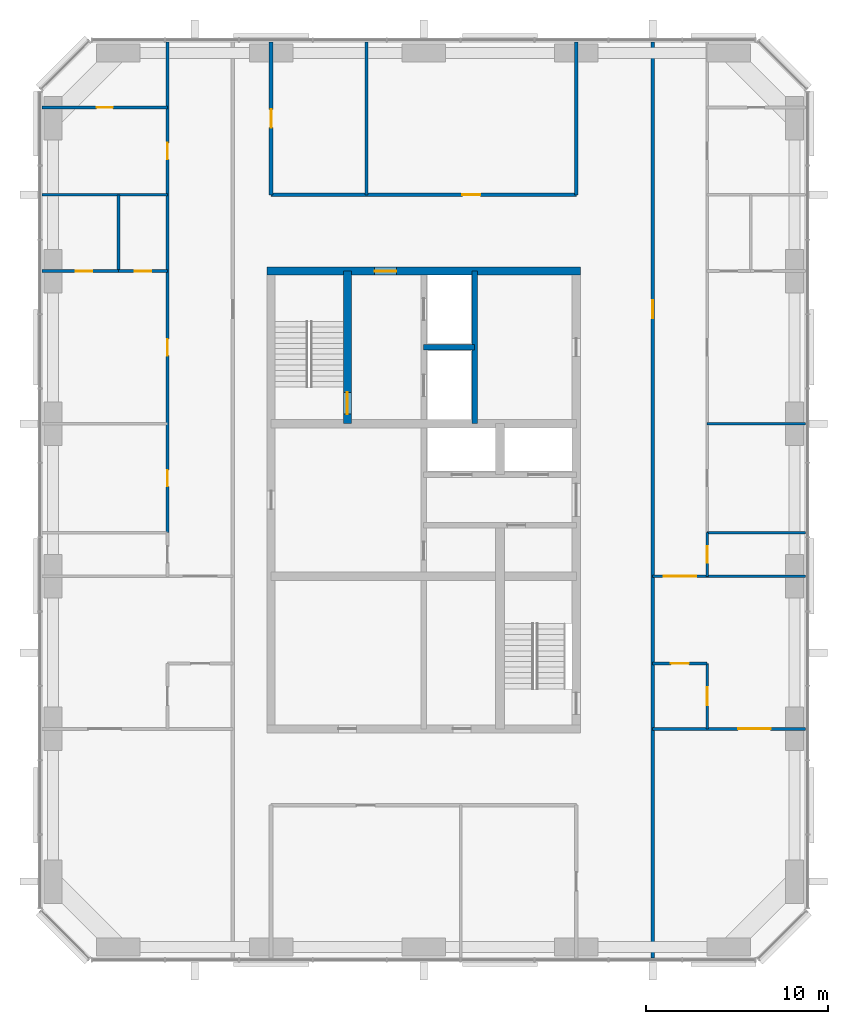
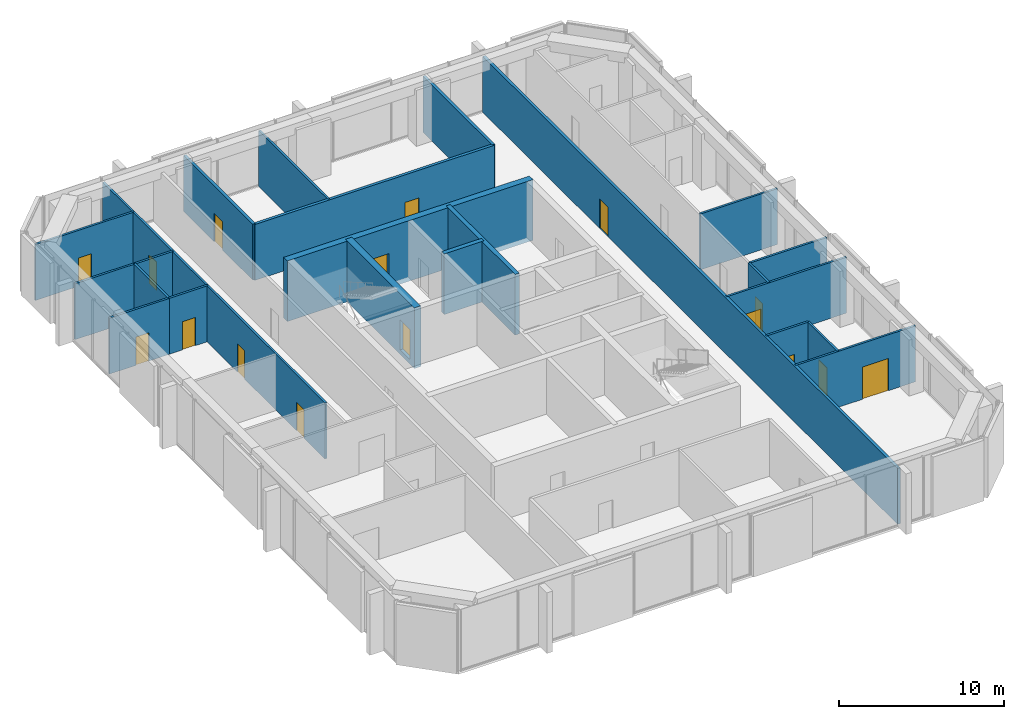
# One storey, part 8 of 10: 22 walls, 16 doors, 16 openings.
"""IFC4 building model written with IfcOpenShell, lengths in metres."""

import ifcopenshell
import ifcopenshell.guid

model = None  # the IFC model being written
_history = None  # IfcOwnerHistory: only IFC2X3 demands one
_inside = {}  # id of a spatial element -> (the spatial element, [elements in it])
_under = {}  # id of a project, library or spatial element -> (it, [spatial elements below it])
_declared = {}  # id of a project -> (the project, [libraries it declares])
_typed = {}  # id of a type object -> (the type object, [elements of that type])
_made_of = {}  # id of a material, layer set ... -> (it, [elements and type objects made of it])


def new_model(schema):
    """Start an empty IFC model of exactly this schema.

    Asked for "IFC4X3", IfcOpenShell would pick the latest addendum, in which some entities
    have other attributes; the version numbers below select the first issue.
    IFC2X3 requires an IfcOwnerHistory on every rooted entity: one is made here for all.
    """
    global model, _history
    if schema == "IFC4X3":
        model = ifcopenshell.file(schema_version=(4, 3, 0, 0))
    else:
        model = ifcopenshell.file(schema=schema)
    _inside.clear()
    _under.clear()
    _declared.clear()
    _typed.clear()
    _made_of.clear()
    _history = None
    if model.schema == "IFC2X3":
        org = make("IfcOrganization", Name="unknown")
        user = make(
            "IfcPersonAndOrganization",
            ThePerson=make("IfcPerson", FamilyName="unknown"),
            TheOrganization=org,
        )
        app = make(
            "IfcApplication",
            ApplicationDeveloper=org,
            Version="unknown",
            ApplicationFullName="unknown",
            ApplicationIdentifier="unknown",
        )
        _history = make(
            "IfcOwnerHistory",
            OwningUser=user,
            OwningApplication=app,
            ChangeAction="ADDED",
            CreationDate=0,
        )
    return model


def make(cls, **values):
    """One entity of the class cls with the attributes given. An attribute that is None is left unset."""
    return model.create_entity(
        cls, **{name: value for name, value in values.items() if value is not None}
    )


def rooted(cls, **values):
    """An entity with a GlobalId (a new one), such as an element, a storey or a relation."""
    return make(cls, GlobalId=ifcopenshell.guid.new(), OwnerHistory=_history, **values)


def si_unit(unit_type, name, prefix=None):
    """IfcSIUnit, for example si_unit("LENGTHUNIT", "METRE", prefix="MILLI")."""
    return make("IfcSIUnit", UnitType=unit_type, Prefix=prefix, Name=name)


def assignment(units):
    """IfcUnitAssignment: the units of a project."""
    return None if units is None else make("IfcUnitAssignment", Units=units)


def point(xyz):
    """IfcCartesianPoint."""
    return None if xyz is None else make("IfcCartesianPoint", Coordinates=xyz)


def direction(xyz):
    """IfcDirection."""
    return None if xyz is None else make("IfcDirection", DirectionRatios=xyz)


def frame(location, z_axis=None, x_axis=None):
    """IfcAxis2Placement3D, a coordinate frame: its origin and axes. An axis left out is left unset."""
    return make(
        "IfcAxis2Placement3D",
        Location=point(location),
        Axis=direction(z_axis),
        RefDirection=direction(x_axis),
    )


def frame_2d(location, x_axis=None):
    """IfcAxis2Placement2D, a coordinate frame in the plane: its origin and x axis."""
    return make(
        "IfcAxis2Placement2D", Location=point(location), RefDirection=direction(x_axis)
    )


def origin():
    """The frame at (0, 0, 0) with its axes left unset."""
    return frame((0.0, 0.0, 0.0))


def place(relative_to, where):
    """IfcLocalPlacement: puts the frame where relative to a parent placement (None: the world)."""
    return make(
        "IfcLocalPlacement", PlacementRelTo=relative_to, RelativePlacement=where
    )


def context(
    kind, dimensions, precision=None, world=None, true_north=None, identifier=None
):
    """IfcGeometricRepresentationContext, for example the 3D "Model" context."""
    return make(
        "IfcGeometricRepresentationContext",
        ContextIdentifier=identifier,
        ContextType=kind,
        CoordinateSpaceDimension=dimensions,
        Precision=precision,
        WorldCoordinateSystem=world,
        TrueNorth=true_north,
    )


def subcontext(parent, identifier, kind, view, scale=None):
    """IfcGeometricRepresentationSubContext, for example "Body" below "Model"."""
    return make(
        "IfcGeometricRepresentationSubContext",
        ContextIdentifier=identifier,
        ContextType=kind,
        ParentContext=parent,
        TargetScale=scale,
        TargetView=view,
    )


def project(units=None, contexts=None):
    """IfcProject with its units and contexts."""
    return rooted(
        "IfcProject",
        Name="project",
        RepresentationContexts=contexts,
        UnitsInContext=assignment(units),
    )


def spatial(cls, under=None, at=None, **own):
    """A site, building, storey or space (cls), placed at a placement, below another one or the project."""
    s = rooted(cls, ObjectPlacement=at, **own)
    if under is not None:
        _under.setdefault(under.id(), (under, []))[1].append(s)
    return s


def profile(cls, at=None, kind="AREA", **sizes):
    """A parametric profile (cls). Its sizes go by their IFC names, for example OverallWidth=200.0."""
    return make(cls, ProfileType=kind, Position=at, **sizes)


def rectangle(**sizes):
    """IfcRectangleProfileDef."""
    return profile("IfcRectangleProfileDef", **sizes)


def extrude(swept, where, along, depth):
    """IfcExtrudedAreaSolid: the profile swept, set in the frame where, extruded along a direction by depth."""
    return make(
        "IfcExtrudedAreaSolid",
        SweptArea=swept,
        Position=where,
        ExtrudedDirection=direction(along),
        Depth=depth,
    )


def shape(context_of_items, identifier, shape_type, items):
    """IfcShapeRepresentation: the items that make up one representation, for example the "Body"."""
    return make(
        "IfcShapeRepresentation",
        ContextOfItems=context_of_items,
        RepresentationIdentifier=identifier,
        RepresentationType=shape_type,
        Items=items,
    )


def material(Name=None, Category=None):
    """IfcMaterial."""
    return make("IfcMaterial", Name=Name, Category=Category)


def layer(
    of_material, thickness, ventilated=None, Name=None, Category=None, Priority=None
):
    """IfcMaterialLayer: one layer of a wall or slab, of a material (None: an air gap)."""
    return make(
        "IfcMaterialLayer",
        Material=of_material,
        LayerThickness=thickness,
        IsVentilated=ventilated,
        Name=Name,
        Category=Category,
        Priority=Priority,
    )


def layer_set(layers, Name=None):
    """IfcMaterialLayerSet."""
    return make("IfcMaterialLayerSet", MaterialLayers=layers, LayerSetName=Name)


def made_of(thing, what):
    """Note that an element or type object is made of a material, layer set ...; save() writes the relation."""
    if what is not None:
        _made_of.setdefault(what.id(), (what, []))[1].append(thing)
    return thing


def type_object(cls, material=None, **own):
    """A type object (cls), such as IfcWallType, which elements share."""
    return made_of(rooted(cls, **own), material)


def element(
    cls,
    number,
    at=None,
    inside=None,
    cuts=None,
    type_object=None,
    material=None,
    context=None,
    identifier="Body",
    shape_type=None,
    held_by="IfcProductDefinitionShape",
    body=None,
    shapes=None,
    **own,
):
    """One element of the class cls, such as IfcWall. Its Tag is "e" and its number.

    at: its placement. inside: the storey or other place that contains it. cuts: it is an
    opening in that element (IfcRelVoidsElement). A single representation is given by context,
    identifier, shape_type and body (its items); several are given by shapes. held_by: the class
    of the entity that holds the representations. save() writes the other relations.
    """
    e = rooted(cls, Tag="e%d" % number, ObjectPlacement=at, **own)
    if body is not None:
        shapes = [shape(context, identifier, shape_type, body)]
    if shapes is not None:
        e.Representation = make(held_by, Representations=shapes)
    if inside is not None:
        _inside.setdefault(inside.id(), (inside, []))[1].append(e)
    if cuts is not None:
        rooted(
            "IfcRelVoidsElement", RelatingBuildingElement=cuts, RelatedOpeningElement=e
        )
    if type_object is not None:
        _typed.setdefault(type_object.id(), (type_object, []))[1].append(e)
    return made_of(e, material)


def fill(opening, filler):
    """IfcRelFillsElement: the door or window that sits in an opening."""
    return rooted(
        "IfcRelFillsElement",
        RelatingOpeningElement=opening,
        RelatedBuildingElement=filler,
    )


def aggregate(whole, parts):
    """IfcRelAggregates: a whole, such as a stair, and the parts it consists of."""
    return rooted("IfcRelAggregates", RelatingObject=whole, RelatedObjects=parts)


def save(model, path):
    """Write the relations noted so far, then the file.

    IfcRelAggregates (storeys below a building ...), IfcRelContainedInSpatialStructure (elements
    in a storey), IfcRelDefinesByType, IfcRelAssociatesMaterial and IfcRelDeclares: one each for
    every whole, place, type object, material and project.
    """
    for whole, parts in _under.values():
        aggregate(whole, parts)
    for where, things in _inside.values():
        rooted(
            "IfcRelContainedInSpatialStructure",
            RelatedElements=things,
            RelatingStructure=where,
        )
    for kind, things in _typed.values():
        rooted("IfcRelDefinesByType", RelatedObjects=things, RelatingType=kind)
    for what, things in _made_of.values():
        rooted("IfcRelAssociatesMaterial", RelatedObjects=things, RelatingMaterial=what)
    for by, libraries in _declared.values():
        rooted("IfcRelDeclares", RelatingContext=by, RelatedDefinitions=libraries)
    model.write(path)


model = new_model("IFC4")

# Units and contexts
model_context = context("Model", 3, precision=1e-05, world=origin(), true_north=direction((0.0, 1.0)))
body_context = subcontext(model_context, "Body", "Model", "MODEL_VIEW")
ifc_project = project(units=[si_unit("LENGTHUNIT", "METRE"), si_unit("AREAUNIT", "SQUARE_METRE"), si_unit("VOLUMEUNIT", "CUBIC_METRE"), si_unit("PLANEANGLEUNIT", "RADIAN"), si_unit("MASSUNIT", "GRAM", prefix="KILO")], contexts=[model_context])

# Site, building, storey
site_placement = place(None, origin())
site = spatial("IfcSite", under=ifc_project, at=site_placement, CompositionType="ELEMENT")
building_placement = place(site_placement, origin())
building = spatial("IfcBuilding", under=site, at=building_placement, Name="Dunama Terrace Hotel", CompositionType="ELEMENT")
storey_placement = place(building_placement, frame((0.0, 0.0, 289.10009765625)))
storey = spatial("IfcBuildingStorey", under=building, at=storey_placement, Name="L74", CompositionType="ELEMENT", Elevation=289.10009765625)

# Wall, opening, door
ifc_material_1 = material(Name="Gypsum board partition", Category="masonry")
ifc_layer_1 = layer(ifc_material_1, 0.14990234375)
ifc_layer_set_1 = layer_set([ifc_layer_1], Name="Bathroom partition 150")
wall_type_1 = type_object("IfcWallType", Name="Bathroom partition 150", PredefinedType="PARTITIONING", material=ifc_layer_set_1)
wall_1_placement = place(storey_placement, frame((49.199951171875, 25.199951171875, 0.0), z_axis=(0.0, 0.0, 1.0), x_axis=(0.0, 1.0, 0.0)))
wall_1 = element("IfcWall", 1, at=wall_1_placement, inside=storey, type_object=wall_type_1, Name="Bathroom partition 150 L74", PredefinedType="PARTITIONING", context=body_context, shape_type="SweptSolid", body=[
    extrude(rectangle(XDim=2.400146484375, YDim=0.14990234375, at=frame_2d((1.2001953125, 0.0))), origin(), (0.0, 0.0, 1.0), 4.14990234375),
])
opening_1_placement = place(wall_1_placement, frame((0.75, 0.0, 0.0)))
opening_1 = element("IfcOpeningElement", 2, at=opening_1_placement, cuts=wall_1, Name="Opening L74-032", PredefinedType="OPENING", context=body_context, shape_type="SweptSolid", body=[
    extrude(rectangle(XDim=0.89990234375, YDim=2.10009765625, at=frame_2d((0.449951171875, 1.050048828125))), frame((0.0, 0.0849609375, 0.0), z_axis=(0.0, -1.0, 0.0), x_axis=(1.0, 0.0, 0.0)), (0.0, 0.0, 1.0), 0.169921875),
])
ifc_material_2 = material(Name="Timber door with steel frame", Category="steel")
door_type_1 = type_object("IfcDoorType", Name="WC door 900", OperationType="SINGLE_SWING_LEFT", PredefinedType="DOOR", material=ifc_material_2)
door_1_placement = place(opening_1_placement, frame((0.89990234375, 0.0, 0.0), z_axis=(0.0, 0.0, 1.0), x_axis=(-1.0, 0.0, 0.0)))
door_1 = element("IfcDoor", 3, at=door_1_placement, inside=storey, type_object=door_type_1, Name="Door to royal suite powder room L74-032, type D6", OperationType="SINGLE_SWING_RIGHT", OverallHeight=2.10009765625, OverallWidth=0.89990234375, PredefinedType="DOOR", context=body_context, shape_type="SweptSolid", body=[
    extrude(rectangle(XDim=0.89990234375, YDim=2.10009765625, at=frame_2d((0.449951171875, 1.050048828125))), frame((0.0, 0.025146484375, 0.0), z_axis=(0.0, -1.0, 0.0), x_axis=(1.0, 0.0, 0.0)), (0.0, 0.0, 1.0), 0.050048828125),
])
fill(opening_1, door_1)

wall_2_placement = place(storey_placement, frame((12.58203125, 42.0, 0.0), z_axis=(0.0, 0.0, 1.0), x_axis=(1.0, 0.0, 0.0)))
wall_2 = element("IfcWall", 4, at=wall_2_placement, inside=storey, type_object=wall_type_1, Name="Bathroom partition 150 L74", PredefinedType="PARTITIONING", context=body_context, shape_type="SweptSolid", body=[
    extrude(rectangle(XDim=4.218017578125, YDim=0.14990234375, at=frame_2d((2.10888671875, 0.0))), origin(), (0.0, 0.0, 1.0), 4.14990234375),
])
opening_2_placement = place(wall_2_placement, frame((1.867919921875, 0.0, 0.0)))
opening_2 = element("IfcOpeningElement", 5, at=opening_2_placement, cuts=wall_2, Name="Opening L74-023", PredefinedType="OPENING", context=body_context, shape_type="SweptSolid", body=[
    extrude(rectangle(XDim=0.89990234375, YDim=2.10009765625, at=frame_2d((0.449951171875, 1.050048828125))), frame((0.0, 0.0849609375, 0.0), z_axis=(0.0, -1.0, 0.0), x_axis=(1.0, 0.0, 0.0)), (0.0, 0.0, 1.0), 0.169921875),
])
door_2_placement = place(opening_2_placement, origin())
door_2 = element("IfcDoor", 6, at=door_2_placement, inside=storey, type_object=door_type_1, Name="Door to royal suite bathroom L74-023, type D6", OperationType="SINGLE_SWING_LEFT", OverallHeight=2.10009765625, OverallWidth=0.89990234375, PredefinedType="DOOR", context=body_context, shape_type="SweptSolid", body=[
    extrude(rectangle(XDim=0.89990234375, YDim=2.10009765625, at=frame_2d((0.449951171875, 1.050048828125))), frame((0.0, 0.02490234375, 0.0), z_axis=(0.0, -1.0, 0.0), x_axis=(1.0, 0.0, 0.0)), (0.0, 0.0, 1.0), 0.050048828125),
])
fill(opening_2, door_2)

wall_3_placement = place(storey_placement, frame((12.58203125, 51.0, 0.0), z_axis=(0.0, 0.0, 1.0), x_axis=(1.0, 0.0, 0.0)))
wall_3 = element("IfcWall", 7, at=wall_3_placement, inside=storey, type_object=wall_type_1, Name="Bathroom partition 150 L74", PredefinedType="PARTITIONING", context=body_context, shape_type="SweptSolid", body=[
    extrude(rectangle(XDim=6.91796875, YDim=0.14990234375, at=frame_2d((3.458984375, 0.0))), origin(), (0.0, 0.0, 1.0), 4.14990234375),
])
opening_3_placement = place(wall_3_placement, frame((3.01806640625, 0.0, 0.0)))
opening_3 = element("IfcOpeningElement", 8, at=opening_3_placement, cuts=wall_3, Name="Opening L74-026", PredefinedType="OPENING", context=body_context, shape_type="SweptSolid", body=[
    extrude(rectangle(XDim=0.89990234375, YDim=2.10009765625, at=frame_2d((0.449951171875, 1.050048828125))), frame((0.0, 0.0849609375, 0.0), z_axis=(0.0, -1.0, 0.0), x_axis=(1.0, 0.0, 0.0)), (0.0, 0.0, 1.0), 0.169921875),
])
door_3_placement = place(opening_3_placement, origin())
door_3 = element("IfcDoor", 9, at=door_3_placement, inside=storey, type_object=door_type_1, Name="Door to royal suite second bathroom L74-026, type D6", OperationType="SINGLE_SWING_LEFT", OverallHeight=2.10009765625, OverallWidth=0.89990234375, PredefinedType="DOOR", context=body_context, shape_type="SweptSolid", body=[
    extrude(rectangle(XDim=0.89990234375, YDim=2.10009765625, at=frame_2d((0.449951171875, 1.050048828125))), frame((0.0, 0.02490234375, 0.0), z_axis=(0.0, -1.0, 0.0), x_axis=(1.0, 0.0, 0.0)), (0.0, 0.0, 1.0), 0.050048828125),
])
fill(opening_3, door_3)

# Walls
ifc_material_3 = material(Name="Concrete C50/60", Category="concrete")
ifc_layer_2 = layer(ifc_material_3, 0.300048828125)
ifc_layer_set_2 = layer_set([ifc_layer_2], Name="Core inner wall 300")
wall_type_2 = type_object("IfcWallType", Name="Core inner wall 300", PredefinedType="SHEAR", material=ifc_layer_set_2)
wall_4_placement = place(storey_placement, frame((36.39990234375, 33.60009765625, -0.35009765625), z_axis=(0.0, 0.0, 1.0), x_axis=(0.0, 1.0, 0.0)))
element("IfcWall", 10, at=wall_4_placement, inside=storey, type_object=wall_type_2, Name="Core inner wall 300 L74", PredefinedType="SHEAR", context=body_context, shape_type="SweptSolid", body=[
    extrude(rectangle(XDim=8.39990234375, YDim=0.300048828125, at=frame_2d((4.199951171875, 0.0))), origin(), (0.0, 0.0, 1.0), 4.5),
])
wall_5_placement = place(storey_placement, frame((33.60009765625, 37.800048828125, -0.35009765625), z_axis=(0.0, 0.0, 1.0), x_axis=(1.0, 0.0, 0.0)))
element("IfcWall", 11, at=wall_5_placement, inside=storey, type_object=wall_type_2, Name="Core inner wall 300 L74", PredefinedType="SHEAR", context=body_context, shape_type="SweptSolid", body=[
    extrude(rectangle(XDim=2.7998046875, YDim=0.300048828125, at=frame_2d((1.39990234375, 0.0))), origin(), (0.0, 0.0, 1.0), 4.5),
])

# Wall, opening, door
ifc_material_4 = material(Name="Concrete C50/60", Category="concrete")
ifc_layer_3 = layer(ifc_material_4, 0.449951171875)
ifc_layer_set_3 = layer_set([ifc_layer_3], Name="Core inner wall 450")
wall_type_3 = type_object("IfcWallType", Name="Core inner wall 450", PredefinedType="SHEAR", material=ifc_layer_set_3)
wall_6_placement = place(storey_placement, frame((29.39990234375, 33.60009765625, -0.35009765625), z_axis=(0.0, 0.0, 1.0), x_axis=(0.0, 1.0, 0.0)))
wall_6 = element("IfcWall", 12, at=wall_6_placement, inside=storey, type_object=wall_type_3, Name="Core inner wall 450 L74", PredefinedType="SHEAR", context=body_context, shape_type="SweptSolid", body=[
    extrude(rectangle(XDim=8.39990234375, YDim=0.449951171875, at=frame_2d((4.199951171875, 0.0))), origin(), (0.0, 0.0, 1.0), 4.5),
])
opening_4_placement = place(wall_6_placement, frame((0.52490234375, 0.0, 0.35009765625)))
opening_4 = element("IfcOpeningElement", 13, at=opening_4_placement, cuts=wall_6, Name="Opening L74-001", PredefinedType="OPENING", context=body_context, shape_type="SweptSolid", body=[
    extrude(rectangle(XDim=1.199951171875, YDim=2.199951171875, at=frame_2d((0.60009765625, 1.10009765625))), frame((0.0, 0.23486328125, 0.0), z_axis=(0.0, -1.0, 0.0), x_axis=(1.0, 0.0, 0.0)), (0.0, 0.0, 1.0), 0.469970703125),
])
ifc_material_5 = material(Name="Timber door with steel frame", Category="steel")
door_type_2 = type_object("IfcDoorType", Name="Stair door 1200", OperationType="SINGLE_SWING_LEFT", PredefinedType="DOOR", material=ifc_material_5)
door_4_placement = place(opening_4_placement, origin())
door_4 = element("IfcDoor", 14, at=door_4_placement, inside=storey, type_object=door_type_2, Name="Stair door ST1 L74-001, type D5", OperationType="SINGLE_SWING_LEFT", OverallHeight=2.199951171875, OverallWidth=1.199951171875, PredefinedType="DOOR", context=body_context, shape_type="SweptSolid", body=[
    extrude(rectangle(XDim=1.199951171875, YDim=2.199951171875, at=frame_2d((0.60009765625, 1.10009765625))), frame((0.0, 0.02490234375, 0.0), z_axis=(0.0, -1.0, 0.0), x_axis=(1.0, 0.0, 0.0)), (0.0, 0.0, 1.0), 0.050048828125),
])
fill(opening_4, door_4)

ifc_material_6 = material(Name="Concrete C50/60", Category="concrete")
ifc_layer_4 = layer(ifc_material_6, 0.449951171875)
ifc_layer_set_4 = layer_set([ifc_layer_4], Name="Core wall 450")
wall_type_4 = type_object("IfcWallType", Name="Core wall 450", PredefinedType="SHEAR", material=ifc_layer_set_4)
wall_7_placement = place(storey_placement, frame((42.22509765625, 42.0, -0.35009765625), z_axis=(0.0, 0.0, 1.0), x_axis=(-1.0, 0.0, 0.0)))
wall_7 = element("IfcWall", 15, at=wall_7_placement, inside=storey, type_object=wall_type_4, Name="Core wall north L74", PredefinedType="SHEAR", context=body_context, shape_type="SweptSolid", body=[
    extrude(rectangle(XDim=17.25, YDim=0.449951171875, at=frame_2d((8.625, 0.0))), origin(), (0.0, 0.0, 1.0), 4.5),
])
opening_5_placement = place(wall_7_placement, frame((10.125, 0.0, 0.35009765625)))
opening_5 = element("IfcOpeningElement", 16, at=opening_5_placement, cuts=wall_7, Name="Opening L74-011", PredefinedType="OPENING", context=body_context, shape_type="SweptSolid", body=[
    extrude(rectangle(XDim=1.199951171875, YDim=2.199951171875, at=frame_2d((0.60009765625, 1.10009765625))), frame((0.0, 0.23486328125, 0.0), z_axis=(0.0, -1.0, 0.0), x_axis=(1.0, 0.0, 0.0)), (0.0, 0.0, 1.0), 0.469970703125),
])
ifc_material_7 = material(Name="Timber door with steel frame", Category="steel")
door_type_3 = type_object("IfcDoorType", Name="Firefighting lobby door 1200", OperationType="SINGLE_SWING_LEFT", PredefinedType="DOOR", material=ifc_material_7)
door_5_placement = place(opening_5_placement, origin())
door_5 = element("IfcDoor", 17, at=door_5_placement, inside=storey, type_object=door_type_3, Name="Door to firefighting lobby L74-011, type D4", OperationType="SINGLE_SWING_RIGHT", OverallHeight=2.199951171875, OverallWidth=1.199951171875, PredefinedType="DOOR", context=body_context, shape_type="SweptSolid", body=[
    extrude(rectangle(XDim=1.199951171875, YDim=2.199951171875, at=frame_2d((0.60009765625, 1.10009765625))), frame((0.0, 0.02490234375, 0.0), z_axis=(0.0, -1.0, 0.0), x_axis=(1.0, 0.0, 0.0)), (0.0, 0.0, 1.0), 0.050048828125),
])
fill(opening_5, door_5)

ifc_material_8 = material(Name="Concrete blockwork", Category="masonry")
ifc_layer_5 = layer(ifc_material_8, 0.199951171875)
ifc_layer_set_5 = layer_set([ifc_layer_5], Name="Corridor partition 200")
wall_type_5 = type_object("IfcWallType", Name="Corridor partition 200", PredefinedType="PARTITIONING", material=ifc_layer_set_5)
wall_8_placement = place(storey_placement, frame((25.199951171875, 46.199951171875, 0.0), z_axis=(0.0, 0.0, 1.0), x_axis=(0.0, 1.0, 0.0)))
wall_8 = element("IfcWall", 18, at=wall_8_placement, inside=storey, type_object=wall_type_5, Name="Corridor partition 200 L74", PredefinedType="PARTITIONING", context=body_context, shape_type="SweptSolid", body=[
    extrude(rectangle(XDim=8.41796875, YDim=0.199951171875, at=frame_2d((4.208984375, 0.0))), origin(), (0.0, 0.0, 1.0), 4.14990234375),
])
opening_6_placement = place(wall_8_placement, frame((3.699951171875, 0.0, 0.0)))
opening_6 = element("IfcOpeningElement", 19, at=opening_6_placement, cuts=wall_8, Name="Opening L74-041", PredefinedType="OPENING", context=body_context, shape_type="SweptSolid", body=[
    extrude(rectangle(XDim=1.0, YDim=2.10009765625, at=frame_2d((0.5, 1.050048828125))), frame((0.0, 0.10986328125, 0.0), z_axis=(0.0, -1.0, 0.0), x_axis=(1.0, 0.0, 0.0)), (0.0, 0.0, 1.0), 0.219970703125),
])
ifc_material_9 = material(Name="Timber door with steel frame", Category="steel")
door_type_4 = type_object("IfcDoorType", Name="Service door 1000", OperationType="SINGLE_SWING_LEFT", PredefinedType="DOOR", material=ifc_material_9)
door_6_placement = place(opening_6_placement, frame((1.0, 0.0, 0.0), z_axis=(0.0, 0.0, 1.0), x_axis=(-1.0, 0.0, 0.0)))
door_6 = element("IfcDoor", 20, at=door_6_placement, inside=storey, type_object=door_type_4, Name="Door to royal floor security office L74-041, type D7", OperationType="SINGLE_SWING_LEFT", OverallHeight=2.10009765625, OverallWidth=1.0, PredefinedType="DOOR", context=body_context, shape_type="SweptSolid", body=[
    extrude(rectangle(XDim=1.0, YDim=2.10009765625, at=frame_2d((0.5, 1.050048828125))), frame((0.0, 0.025146484375, 0.0), z_axis=(0.0, -1.0, 0.0), x_axis=(1.0, 0.0, 0.0)), (0.0, 0.0, 1.0), 0.050048828125),
])
fill(opening_6, door_6)

# Wall
wall_9_placement = place(storey_placement, frame((42.0, 46.199951171875, 0.0), z_axis=(0.0, 0.0, 1.0), x_axis=(0.0, 1.0, 0.0)))
element("IfcWall", 21, at=wall_9_placement, inside=storey, type_object=wall_type_5, Name="Corridor partition 200 L74", PredefinedType="PARTITIONING", context=body_context, shape_type="SweptSolid", body=[
    extrude(rectangle(XDim=8.41796875, YDim=0.199951171875, at=frame_2d((4.208984375, 0.0))), origin(), (0.0, 0.0, 1.0), 4.14990234375),
])

# Wall, opening, door
wall_10_placement = place(storey_placement, frame((25.199951171875, 46.199951171875, 0.0), z_axis=(0.0, 0.0, 1.0), x_axis=(1.0, 0.0, 0.0)))
wall_10 = element("IfcWall", 22, at=wall_10_placement, inside=storey, type_object=wall_type_5, Name="Corridor partition 200 L74", PredefinedType="PARTITIONING", context=body_context, shape_type="SweptSolid", body=[
    extrude(rectangle(XDim=16.800048828125, YDim=0.199951171875, at=frame_2d((8.39990234375, 0.0))), origin(), (0.0, 0.0, 1.0), 4.14990234375),
])
opening_7_placement = place(wall_10_placement, frame((10.52490234375, 0.0, 0.0)))
opening_7 = element("IfcOpeningElement", 23, at=opening_7_placement, cuts=wall_10, Name="Opening L74-042", PredefinedType="OPENING", context=body_context, shape_type="SweptSolid", body=[
    extrude(rectangle(XDim=1.0, YDim=2.10009765625, at=frame_2d((0.5, 1.050048828125))), frame((0.0, 0.10986328125, 0.0), z_axis=(0.0, -1.0, 0.0), x_axis=(1.0, 0.0, 0.0)), (0.0, 0.0, 1.0), 0.219970703125),
])
door_7_placement = place(opening_7_placement, origin())
door_7 = element("IfcDoor", 24, at=door_7_placement, inside=storey, type_object=door_type_4, Name="Door to butler staff office L74-042, type D7", OperationType="SINGLE_SWING_LEFT", OverallHeight=2.10009765625, OverallWidth=1.0, PredefinedType="DOOR", context=body_context, shape_type="SweptSolid", body=[
    extrude(rectangle(XDim=1.0, YDim=2.10009765625, at=frame_2d((0.5, 1.050048828125))), frame((0.0, 0.02490234375, 0.0), z_axis=(0.0, -1.0, 0.0), x_axis=(1.0, 0.0, 0.0)), (0.0, 0.0, 1.0), 0.050048828125),
])
fill(opening_7, door_7)

wall_11_placement = place(storey_placement, frame((46.199951171875, 54.617919921875, 0.0), z_axis=(0.0, 0.0, 1.0), x_axis=(0.0, -1.0, 0.0)))
wall_11 = element("IfcWall", 25, at=wall_11_placement, inside=storey, type_object=wall_type_5, Name="Corridor partition 200 L74", PredefinedType="PARTITIONING", context=body_context, shape_type="SweptSolid", body=[
    extrude(rectangle(XDim=50.43603515625, YDim=0.199951171875, at=frame_2d((25.218017578125, 0.0))), origin(), (0.0, 0.0, 1.0), 4.14990234375),
])
opening_8_placement = place(wall_11_placement, frame((14.218017578125, 0.0, 0.0)))
opening_8 = element("IfcOpeningElement", 26, at=opening_8_placement, cuts=wall_11, Name="Opening L74-027", PredefinedType="OPENING", context=body_context, shape_type="SweptSolid", body=[
    extrude(rectangle(XDim=1.0, YDim=2.199951171875, at=frame_2d((0.5, 1.10009765625))), frame((0.0, 0.10986328125, 0.0), z_axis=(0.0, -1.0, 0.0), x_axis=(1.0, 0.0, 0.0)), (0.0, 0.0, 1.0), 0.219970703125),
])
ifc_material_10 = material(Name="Timber door with steel frame", Category="steel")
door_type_5 = type_object("IfcDoorType", Name="Guest room door 1000", OperationType="SINGLE_SWING_LEFT", PredefinedType="DOOR", material=ifc_material_10)
door_8_placement = place(opening_8_placement, origin())
door_8 = element("IfcDoor", 27, at=door_8_placement, inside=storey, type_object=door_type_5, Name="Door to royal suite foyer and gallery L74-027, type D1", OperationType="SINGLE_SWING_LEFT", OverallHeight=2.199951171875, OverallWidth=1.0, PredefinedType="DOOR", context=body_context, shape_type="SweptSolid", body=[
    extrude(rectangle(XDim=1.0, YDim=2.199951171875, at=frame_2d((0.5, 1.10009765625))), frame((0.0, 0.02490234375, 0.0), z_axis=(0.0, -1.0, 0.0), x_axis=(1.0, 0.0, 0.0)), (0.0, 0.0, 1.0), 0.050048828125),
])
fill(opening_8, door_8)

# Wall
ifc_material_11 = material(Name="Gypsum board partition", Category="masonry")
ifc_layer_6 = layer(ifc_material_11, 0.14990234375)
ifc_layer_set_6 = layer_set([ifc_layer_6], Name="Room partition 150")
wall_type_6 = type_object("IfcWallType", Name="Room partition 150", PredefinedType="PARTITIONING", material=ifc_layer_set_6)
wall_12_placement = place(storey_placement, frame((16.800048828125, 42.0, 0.0), z_axis=(0.0, 0.0, 1.0), x_axis=(0.0, 1.0, 0.0)))
element("IfcWall", 28, at=wall_12_placement, inside=storey, type_object=wall_type_6, Name="Room partition 150 L74", PredefinedType="PARTITIONING", context=body_context, shape_type="SweptSolid", body=[
    extrude(rectangle(XDim=4.199951171875, YDim=0.14990234375, at=frame_2d((2.10009765625, 0.0))), origin(), (0.0, 0.0, 1.0), 4.14990234375),
])

# Wall, openings, doors
wall_13_placement = place(storey_placement, frame((19.5, 27.60009765625, 0.0), z_axis=(0.0, 0.0, 1.0), x_axis=(0.0, 1.0, 0.0)))
wall_13 = element("IfcWall", 29, at=wall_13_placement, inside=storey, type_object=wall_type_6, Name="Room partition 150 L74", PredefinedType="PARTITIONING", context=body_context, shape_type="SweptSolid", body=[
    extrude(rectangle(XDim=27.017822265625, YDim=0.14990234375, at=frame_2d((13.5087890625, 0.0))), origin(), (0.0, 0.0, 1.0), 4.14990234375),
])
opening_9_placement = place(wall_13_placement, frame((2.550048828125, 0.0, 0.0)))
opening_9 = element("IfcOpeningElement", 30, at=opening_9_placement, cuts=wall_13, Name="Opening L74-021", PredefinedType="OPENING", context=body_context, shape_type="SweptSolid", body=[
    extrude(rectangle(XDim=0.89990234375, YDim=2.10009765625, at=frame_2d((0.449951171875, 1.050048828125))), frame((0.0, 0.0849609375, 0.0), z_axis=(0.0, -1.0, 0.0), x_axis=(1.0, 0.0, 0.0)), (0.0, 0.0, 1.0), 0.169921875),
])
opening_10_placement = place(wall_13_placement, frame((9.75, 0.0, 0.0)))
opening_10 = element("IfcOpeningElement", 31, at=opening_10_placement, cuts=wall_13, Name="Opening L74-022", PredefinedType="OPENING", context=body_context, shape_type="SweptSolid", body=[
    extrude(rectangle(XDim=0.89990234375, YDim=2.10009765625, at=frame_2d((0.449951171875, 1.050048828125))), frame((0.0, 0.0849609375, 0.0), z_axis=(0.0, -1.0, 0.0), x_axis=(1.0, 0.0, 0.0)), (0.0, 0.0, 1.0), 0.169921875),
])
opening_11_placement = place(wall_13_placement, frame((20.550048828125, 0.0, 0.0)))
opening_11 = element("IfcOpeningElement", 32, at=opening_11_placement, cuts=wall_13, Name="Opening L74-025", PredefinedType="OPENING", context=body_context, shape_type="SweptSolid", body=[
    extrude(rectangle(XDim=0.89990234375, YDim=2.10009765625, at=frame_2d((0.449951171875, 1.050048828125))), frame((0.0, 0.0849609375, 0.0), z_axis=(0.0, -1.0, 0.0), x_axis=(1.0, 0.0, 0.0)), (0.0, 0.0, 1.0), 0.169921875),
])
ifc_material_12 = material(Name="Timber door with steel frame", Category="steel")
door_type_6 = type_object("IfcDoorType", Name="Suite internal door 900", OperationType="SINGLE_SWING_LEFT", PredefinedType="DOOR", material=ifc_material_12)
door_9_placement = place(opening_9_placement, origin())
door_9 = element("IfcDoor", 33, at=door_9_placement, inside=storey, type_object=door_type_6, Name="Door to royal suite study library L74-021, type D16", OperationType="SINGLE_SWING_RIGHT", OverallHeight=2.10009765625, OverallWidth=0.89990234375, PredefinedType="DOOR", context=body_context, shape_type="SweptSolid", body=[
    extrude(rectangle(XDim=0.89990234375, YDim=2.10009765625, at=frame_2d((0.449951171875, 1.050048828125))), frame((0.0, 0.02490234375, 0.0), z_axis=(0.0, -1.0, 0.0), x_axis=(1.0, 0.0, 0.0)), (0.0, 0.0, 1.0), 0.050048828125),
])
fill(opening_9, door_9)
door_10_placement = place(opening_10_placement, origin())
door_10 = element("IfcDoor", 34, at=door_10_placement, inside=storey, type_object=door_type_6, Name="Door to royal suite bedroom L74-022, type D16", OperationType="SINGLE_SWING_LEFT", OverallHeight=2.10009765625, OverallWidth=0.89990234375, PredefinedType="DOOR", context=body_context, shape_type="SweptSolid", body=[
    extrude(rectangle(XDim=0.89990234375, YDim=2.10009765625, at=frame_2d((0.449951171875, 1.050048828125))), frame((0.0, 0.02490234375, 0.0), z_axis=(0.0, -1.0, 0.0), x_axis=(1.0, 0.0, 0.0)), (0.0, 0.0, 1.0), 0.050048828125),
])
fill(opening_10, door_10)
door_11_placement = place(opening_11_placement, origin())
door_11 = element("IfcDoor", 35, at=door_11_placement, inside=storey, type_object=door_type_6, Name="Door to royal suite second bedroom L74-025, type D16", OperationType="SINGLE_SWING_RIGHT", OverallHeight=2.10009765625, OverallWidth=0.89990234375, PredefinedType="DOOR", context=body_context, shape_type="SweptSolid", body=[
    extrude(rectangle(XDim=0.89990234375, YDim=2.10009765625, at=frame_2d((0.449951171875, 1.050048828125))), frame((0.0, 0.02490234375, 0.0), z_axis=(0.0, -1.0, 0.0), x_axis=(1.0, 0.0, 0.0)), (0.0, 0.0, 1.0), 0.050048828125),
])
fill(opening_11, door_11)

# Wall
wall_14_placement = place(storey_placement, frame((30.449951171875, 46.199951171875, 0.0), z_axis=(0.0, 0.0, 1.0), x_axis=(0.0, 1.0, 0.0)))
element("IfcWall", 36, at=wall_14_placement, inside=storey, type_object=wall_type_6, Name="Room partition 150 L74", PredefinedType="PARTITIONING", context=body_context, shape_type="SweptSolid", body=[
    extrude(rectangle(XDim=8.41796875, YDim=0.14990234375, at=frame_2d((4.208984375, 0.0))), origin(), (0.0, 0.0, 1.0), 4.14990234375),
])

# Wall, opening, door
wall_15_placement = place(storey_placement, frame((49.199951171875, 16.800048828125, 0.0), z_axis=(0.0, 0.0, 1.0), x_axis=(0.0, 1.0, 0.0)))
wall_15 = element("IfcWall", 37, at=wall_15_placement, inside=storey, type_object=wall_type_6, Name="Room partition 150 L74", PredefinedType="PARTITIONING", context=body_context, shape_type="SweptSolid", body=[
    extrude(rectangle(XDim=3.599853515625, YDim=0.14990234375, at=frame_2d((1.7998046875, 0.0))), origin(), (0.0, 0.0, 1.0), 4.14990234375),
])
opening_12_placement = place(wall_15_placement, frame((1.300048828125, 0.0, 0.0)))
opening_12 = element("IfcOpeningElement", 38, at=opening_12_placement, cuts=wall_15, Name="Opening L74-029", PredefinedType="OPENING", context=body_context, shape_type="SweptSolid", body=[
    extrude(rectangle(XDim=1.0, YDim=2.10009765625, at=frame_2d((0.5, 1.050048828125))), frame((0.0, 0.0849609375, 0.0), z_axis=(0.0, -1.0, 0.0), x_axis=(1.0, 0.0, 0.0)), (0.0, 0.0, 1.0), 0.169921875),
])
door_12_placement = place(opening_12_placement, origin())
door_12 = element("IfcDoor", 39, at=door_12_placement, inside=storey, type_object=door_type_4, Name="Door to royal suite butler pantry L74-029, type D7", OperationType="SINGLE_SWING_RIGHT", OverallHeight=2.10009765625, OverallWidth=1.0, PredefinedType="DOOR", context=body_context, shape_type="SweptSolid", body=[
    extrude(rectangle(XDim=1.0, YDim=2.10009765625, at=frame_2d((0.5, 1.050048828125))), frame((0.0, 0.02490234375, 0.0), z_axis=(0.0, -1.0, 0.0), x_axis=(1.0, 0.0, 0.0)), (0.0, 0.0, 1.0), 0.050048828125),
])
fill(opening_12, door_12)

wall_16_placement = place(storey_placement, frame((46.199951171875, 16.800048828125, 0.0), z_axis=(0.0, 0.0, 1.0), x_axis=(1.0, 0.0, 0.0)))
wall_16 = element("IfcWall", 40, at=wall_16_placement, inside=storey, type_object=wall_type_6, Name="Room partition 150 L74", PredefinedType="PARTITIONING", context=body_context, shape_type="SweptSolid", body=[
    extrude(rectangle(XDim=8.41796875, YDim=0.14990234375, at=frame_2d((4.208984375, 0.0))), origin(), (0.0, 0.0, 1.0), 4.14990234375),
])
opening_13_placement = place(wall_16_placement, frame((4.699951171875, 0.0, 0.0)))
opening_13 = element("IfcOpeningElement", 41, at=opening_13_placement, cuts=wall_16, Name="Opening L74-028", PredefinedType="OPENING", context=body_context, shape_type="SweptSolid", body=[
    extrude(rectangle(XDim=1.800048828125, YDim=2.39990234375, at=frame_2d((0.89990234375, 1.199951171875))), frame((0.0, 0.0849609375, 0.0), z_axis=(0.0, -1.0, 0.0), x_axis=(1.0, 0.0, 0.0)), (0.0, 0.0, 1.0), 0.169921875),
])
ifc_material_13 = material(Name="Aluminium-framed glazed door", Category="aluminium")
door_type_7 = type_object("IfcDoorType", Name="Glazed double door 1800", OperationType="DOUBLE_DOOR_DOUBLE_SWING", PredefinedType="DOOR", material=ifc_material_13)
door_13_placement = place(opening_13_placement, origin())
door_13 = element("IfcDoor", 42, at=door_13_placement, inside=storey, type_object=door_type_7, Name="Door to royal suite living room L74-028, type D8", OperationType="DOUBLE_DOOR_DOUBLE_SWING", OverallHeight=2.39990234375, OverallWidth=1.800048828125, PredefinedType="DOOR", context=body_context, shape_type="SweptSolid", body=[
    extrude(rectangle(XDim=1.800048828125, YDim=2.39990234375, at=frame_2d((0.89990234375, 1.199951171875))), frame((0.0, 0.02490234375, 0.0), z_axis=(0.0, -1.0, 0.0), x_axis=(1.0, 0.0, 0.0)), (0.0, 0.0, 1.0), 0.050048828125),
])
fill(opening_13, door_13)

wall_17_placement = place(storey_placement, frame((46.199951171875, 20.39990234375, 0.0), z_axis=(0.0, 0.0, 1.0), x_axis=(1.0, 0.0, 0.0)))
wall_17 = element("IfcWall", 43, at=wall_17_placement, inside=storey, type_object=wall_type_6, Name="Room partition 150 L74", PredefinedType="PARTITIONING", context=body_context, shape_type="SweptSolid", body=[
    extrude(rectangle(XDim=3.0, YDim=0.14990234375, at=frame_2d((1.5, 0.0))), origin(), (0.0, 0.0, 1.0), 4.14990234375),
])
opening_14_placement = place(wall_17_placement, frame((1.0, 0.0, 0.0)))
opening_14 = element("IfcOpeningElement", 44, at=opening_14_placement, cuts=wall_17, Name="Opening L74-030", PredefinedType="OPENING", context=body_context, shape_type="SweptSolid", body=[
    extrude(rectangle(XDim=1.0, YDim=2.10009765625, at=frame_2d((0.5, 1.050048828125))), frame((0.0, 0.0849609375, 0.0), z_axis=(0.0, -1.0, 0.0), x_axis=(1.0, 0.0, 0.0)), (0.0, 0.0, 1.0), 0.169921875),
])
door_14_placement = place(opening_14_placement, frame((1.0, 0.0, 0.0), z_axis=(0.0, 0.0, 1.0), x_axis=(-1.0, 0.0, 0.0)))
door_14 = element("IfcDoor", 45, at=door_14_placement, inside=storey, type_object=door_type_4, Name="Door to royal suite butler pantry L74-030, type D7", OperationType="SINGLE_SWING_RIGHT", OverallHeight=2.10009765625, OverallWidth=1.0, PredefinedType="DOOR", context=body_context, shape_type="SweptSolid", body=[
    extrude(rectangle(XDim=1.0, YDim=2.10009765625, at=frame_2d((0.5, 1.050048828125))), frame((0.0, 0.025146484375, 0.0), z_axis=(0.0, -1.0, 0.0), x_axis=(1.0, 0.0, 0.0)), (0.0, 0.0, 1.0), 0.050048828125),
])
fill(opening_14, door_14)

wall_18_placement = place(storey_placement, frame((46.199951171875, 25.199951171875, 0.0), z_axis=(0.0, 0.0, 1.0), x_axis=(1.0, 0.0, 0.0)))
wall_18 = element("IfcWall", 46, at=wall_18_placement, inside=storey, type_object=wall_type_6, Name="Room partition 150 L74", PredefinedType="PARTITIONING", context=body_context, shape_type="SweptSolid", body=[
    extrude(rectangle(XDim=8.41796875, YDim=0.14990234375, at=frame_2d((4.208984375, 0.0))), origin(), (0.0, 0.0, 1.0), 4.14990234375),
])
opening_15_placement = place(wall_18_placement, frame((0.60009765625, 0.0, 0.0)))
opening_15 = element("IfcOpeningElement", 47, at=opening_15_placement, cuts=wall_18, Name="Opening L74-031", PredefinedType="OPENING", context=body_context, shape_type="SweptSolid", body=[
    extrude(rectangle(XDim=1.800048828125, YDim=2.39990234375, at=frame_2d((0.89990234375, 1.199951171875))), frame((0.0, 0.0849609375, 0.0), z_axis=(0.0, -1.0, 0.0), x_axis=(1.0, 0.0, 0.0)), (0.0, 0.0, 1.0), 0.169921875),
])
door_15_placement = place(opening_15_placement, origin())
door_15 = element("IfcDoor", 48, at=door_15_placement, inside=storey, type_object=door_type_7, Name="Door to royal suite dining room L74-031, type D8", OperationType="DOUBLE_DOOR_DOUBLE_SWING", OverallHeight=2.39990234375, OverallWidth=1.800048828125, PredefinedType="DOOR", context=body_context, shape_type="SweptSolid", body=[
    extrude(rectangle(XDim=1.800048828125, YDim=2.39990234375, at=frame_2d((0.89990234375, 1.199951171875))), frame((0.0, 0.02490234375, 0.0), z_axis=(0.0, -1.0, 0.0), x_axis=(1.0, 0.0, 0.0)), (0.0, 0.0, 1.0), 0.050048828125),
])
fill(opening_15, door_15)

# Walls
for number, where, z_axis, x_axis, name in (
    (49, (49.199951171875, 27.60009765625, 0.0), (0.0, 0.0, 1.0), (1.0, 0.0, 0.0), "Room partition 150 L74"),
    (50, (49.199951171875, 33.60009765625, 0.0), (0.0, 0.0, 1.0), (1.0, 0.0, 0.0), "Room partition 150 L74"),
):
    element("IfcWall", number, at=place(storey_placement, frame(where, z_axis=z_axis, x_axis=x_axis)), inside=storey, type_object=wall_type_6, Name=name, PredefinedType="PARTITIONING", context=body_context, shape_type="SweptSolid", body=[
        extrude(rectangle(XDim=5.41796875, YDim=0.14990234375, at=frame_2d((2.708984375, 0.0))), origin(), (0.0, 0.0, 1.0), 4.14990234375),
    ])

# Wall, opening, door
wall_19_placement = place(storey_placement, frame((16.800048828125, 42.0, 0.0), z_axis=(0.0, 0.0, 1.0), x_axis=(1.0, 0.0, 0.0)))
wall_19 = element("IfcWall", 51, at=wall_19_placement, inside=storey, type_object=wall_type_6, Name="Room partition 150 L74", PredefinedType="PARTITIONING", context=body_context, shape_type="SweptSolid", body=[
    extrude(rectangle(XDim=2.699951171875, YDim=0.14990234375, at=frame_2d((1.35009765625, 0.0))), origin(), (0.0, 0.0, 1.0), 4.14990234375),
])
opening_16_placement = place(wall_19_placement, frame((0.89990234375, 0.0, 0.0)))
opening_16 = element("IfcOpeningElement", 52, at=opening_16_placement, cuts=wall_19, Name="Opening L74-024", PredefinedType="OPENING", context=body_context, shape_type="SweptSolid", body=[
    extrude(rectangle(XDim=0.89990234375, YDim=2.10009765625, at=frame_2d((0.449951171875, 1.050048828125))), frame((0.0, 0.0849609375, 0.0), z_axis=(0.0, -1.0, 0.0), x_axis=(1.0, 0.0, 0.0)), (0.0, 0.0, 1.0), 0.169921875),
])
door_16_placement = place(opening_16_placement, origin())
door_16 = element("IfcDoor", 53, at=door_16_placement, inside=storey, type_object=door_type_6, Name="Door to royal suite dressing room L74-024, type D16", OperationType="SINGLE_SWING_LEFT", OverallHeight=2.10009765625, OverallWidth=0.89990234375, PredefinedType="DOOR", context=body_context, shape_type="SweptSolid", body=[
    extrude(rectangle(XDim=0.89990234375, YDim=2.10009765625, at=frame_2d((0.449951171875, 1.050048828125))), frame((0.0, 0.02490234375, 0.0), z_axis=(0.0, -1.0, 0.0), x_axis=(1.0, 0.0, 0.0)), (0.0, 0.0, 1.0), 0.050048828125),
])
fill(opening_16, door_16)

# Wall
wall_20_placement = place(storey_placement, frame((12.58203125, 46.199951171875, 0.0), z_axis=(0.0, 0.0, 1.0), x_axis=(1.0, 0.0, 0.0)))
element("IfcWall", 54, at=wall_20_placement, inside=storey, type_object=wall_type_6, Name="Room partition 150 L74", PredefinedType="PARTITIONING", context=body_context, shape_type="SweptSolid", body=[
    extrude(rectangle(XDim=6.91796875, YDim=0.14990234375, at=frame_2d((3.458984375, 0.0))), origin(), (0.0, 0.0, 1.0), 4.14990234375),
])

save(model, "model.ifc")
